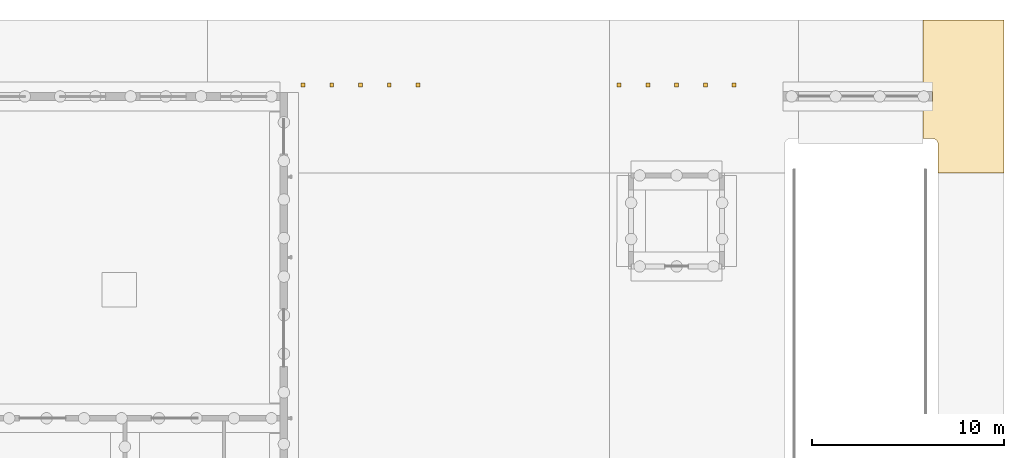
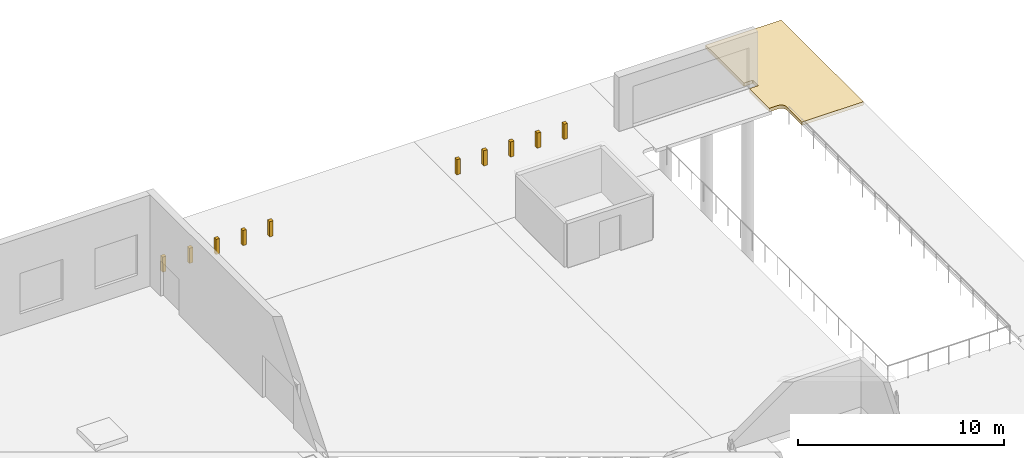
# One storey, part 126 of 127: 11 coverings.
"""IFC4 building model written with IfcOpenShell, lengths in metres."""

from ifc_helpers import new_model, si_unit, direction, frame, origin, place, context, subcontext, project, spatial, polyline, outline, extrude, material, layer, layer_set, type_object, element, save


model = new_model("IFC4")

# Units and contexts
model_context = context("Model", 3, precision=1e-05, world=origin(), true_north=direction((0.0, 1.0)))
body_context = subcontext(model_context, "Body", "Model", "MODEL_VIEW")
ifc_project = project(units=[si_unit("LENGTHUNIT", "METRE"), si_unit("AREAUNIT", "SQUARE_METRE"), si_unit("VOLUMEUNIT", "CUBIC_METRE"), si_unit("PLANEANGLEUNIT", "RADIAN"), si_unit("MASSUNIT", "GRAM", prefix="KILO")], contexts=[model_context])

# Site, building, storey
site_placement = place(None, origin())
site = spatial("IfcSite", under=ifc_project, at=site_placement, CompositionType="ELEMENT")
building_placement = place(site_placement, origin())
building = spatial("IfcBuilding", under=site, at=building_placement, Name="Ljudholm Concert House", CompositionType="ELEMENT")
storey_placement = place(building_placement, origin())
storey = spatial("IfcBuildingStorey", under=building, at=storey_placement, Name="L00", CompositionType="ELEMENT", Elevation=0.0)

# Coverings
ifc_material_1 = material(Name="Stainless steel bollard", Category="steel")
covering_type_1 = type_object("IfcCoveringType", Name="BOLLARD 200x900", PredefinedType="USERDEFINED", material=ifc_material_1)
covering_1_placement = place(storey_placement, origin())
element("IfcCovering", 1, at=covering_1_placement, inside=storey, type_object=covering_type_1, Name="Bollard", ObjectType="BOLLARD", PredefinedType="USERDEFINED", context=body_context, shape_type="SweptSolid", body=[
    extrude(outline(polyline([(88.89990234375, 172.5), (89.10009765625, 172.5), (89.10009765625, 172.699951171875), (88.89990234375, 172.699951171875), (88.89990234375, 172.5)])), origin(), (0.0, 0.0, 1.0), 0.89990234375),
])
covering_2_placement = place(storey_placement, origin())
element("IfcCovering", 2, at=covering_2_placement, inside=storey, type_object=covering_type_1, Name="Bollard", ObjectType="BOLLARD", PredefinedType="USERDEFINED", context=body_context, shape_type="SweptSolid", body=[
    extrude(outline(polyline([(90.39990234375, 172.5), (90.60009765625, 172.5), (90.60009765625, 172.699951171875), (90.39990234375, 172.699951171875), (90.39990234375, 172.5)])), origin(), (0.0, 0.0, 1.0), 0.89990234375),
])
covering_3_placement = place(storey_placement, origin())
element("IfcCovering", 3, at=covering_3_placement, inside=storey, type_object=covering_type_1, Name="Bollard", ObjectType="BOLLARD", PredefinedType="USERDEFINED", context=body_context, shape_type="SweptSolid", body=[
    extrude(outline(polyline([(91.89990234375, 172.5), (92.10009765625, 172.5), (92.10009765625, 172.699951171875), (91.89990234375, 172.699951171875), (91.89990234375, 172.5)])), origin(), (0.0, 0.0, 1.0), 0.89990234375),
])
covering_4_placement = place(storey_placement, origin())
element("IfcCovering", 4, at=covering_4_placement, inside=storey, type_object=covering_type_1, Name="Bollard", ObjectType="BOLLARD", PredefinedType="USERDEFINED", context=body_context, shape_type="SweptSolid", body=[
    extrude(outline(polyline([(93.39990234375, 172.5), (93.60009765625, 172.5), (93.60009765625, 172.699951171875), (93.39990234375, 172.699951171875), (93.39990234375, 172.5)])), origin(), (0.0, 0.0, 1.0), 0.89990234375),
])
covering_5_placement = place(storey_placement, origin())
element("IfcCovering", 5, at=covering_5_placement, inside=storey, type_object=covering_type_1, Name="Bollard", ObjectType="BOLLARD", PredefinedType="USERDEFINED", context=body_context, shape_type="SweptSolid", body=[
    extrude(outline(polyline([(94.89990234375, 172.5), (95.10009765625, 172.5), (95.10009765625, 172.699951171875), (94.89990234375, 172.699951171875), (94.89990234375, 172.5)])), origin(), (0.0, 0.0, 1.0), 0.89990234375),
])
covering_6_placement = place(storey_placement, origin())
element("IfcCovering", 6, at=covering_6_placement, inside=storey, type_object=covering_type_1, Name="Bollard", ObjectType="BOLLARD", PredefinedType="USERDEFINED", context=body_context, shape_type="SweptSolid", body=[
    extrude(outline(polyline([(105.39990234375, 172.5), (105.60009765625, 172.5), (105.60009765625, 172.699951171875), (105.39990234375, 172.699951171875), (105.39990234375, 172.5)])), origin(), (0.0, 0.0, 1.0), 0.89990234375),
])
covering_7_placement = place(storey_placement, origin())
element("IfcCovering", 7, at=covering_7_placement, inside=storey, type_object=covering_type_1, Name="Bollard", ObjectType="BOLLARD", PredefinedType="USERDEFINED", context=body_context, shape_type="SweptSolid", body=[
    extrude(outline(polyline([(106.89990234375, 172.5), (107.10009765625, 172.5), (107.10009765625, 172.699951171875), (106.89990234375, 172.699951171875), (106.89990234375, 172.5)])), origin(), (0.0, 0.0, 1.0), 0.89990234375),
])
covering_8_placement = place(storey_placement, origin())
element("IfcCovering", 8, at=covering_8_placement, inside=storey, type_object=covering_type_1, Name="Bollard", ObjectType="BOLLARD", PredefinedType="USERDEFINED", context=body_context, shape_type="SweptSolid", body=[
    extrude(outline(polyline([(108.39990234375, 172.5), (108.60009765625, 172.5), (108.60009765625, 172.699951171875), (108.39990234375, 172.699951171875), (108.39990234375, 172.5)])), origin(), (0.0, 0.0, 1.0), 0.89990234375),
])
covering_9_placement = place(storey_placement, origin())
element("IfcCovering", 9, at=covering_9_placement, inside=storey, type_object=covering_type_1, Name="Bollard", ObjectType="BOLLARD", PredefinedType="USERDEFINED", context=body_context, shape_type="SweptSolid", body=[
    extrude(outline(polyline([(109.89990234375, 172.5), (110.10009765625, 172.5), (110.10009765625, 172.699951171875), (109.89990234375, 172.699951171875), (109.89990234375, 172.5)])), origin(), (0.0, 0.0, 1.0), 0.89990234375),
])
covering_10_placement = place(storey_placement, origin())
element("IfcCovering", 10, at=covering_10_placement, inside=storey, type_object=covering_type_1, Name="Bollard", ObjectType="BOLLARD", PredefinedType="USERDEFINED", context=body_context, shape_type="SweptSolid", body=[
    extrude(outline(polyline([(111.39990234375, 172.5), (111.60009765625, 172.5), (111.60009765625, 172.699951171875), (111.39990234375, 172.699951171875), (111.39990234375, 172.5)])), origin(), (0.0, 0.0, 1.0), 0.89990234375),
])
ifc_material_2 = material(Name="Precast concrete pavers on compacted sand bed", Category="concrete")
ifc_layer = layer(ifc_material_2, 0.199951171875)
ifc_layer_set = layer_set([ifc_layer], Name="Precast concrete pavers on compacted sand bed")
covering_type_2 = type_object("IfcCoveringType", Name="PRECAST CONCRETE PAVERS ON COMPACTED SAND BED PAVING 200", PredefinedType="USERDEFINED", material=ifc_layer_set)
covering_11_placement = place(storey_placement, frame((0.0, 0.0, -0.199951171875)))
element("IfcCovering", 11, at=covering_11_placement, inside=storey, type_object=covering_type_2, Name="Paving", ObjectType="PAVING", PredefinedType="USERDEFINED", context=body_context, shape_type="SweptSolid", body=[
    extrude(outline(polyline([(125.590087890625, 168.0), (122.14990234375, 168.0), (122.14990234375, 169.5), (122.1484375, 169.529296875), (122.144287109375, 169.55859375), (122.136962890625, 169.587158203125), (122.127197265625, 169.61474609375), (122.114501953125, 169.641357421875), (122.099365234375, 169.666748046875), (122.081787109375, 169.6904296875), (122.06201171875, 169.712158203125), (122.040283203125, 169.73193359375), (122.0166015625, 169.74951171875), (121.991455078125, 169.7646484375), (121.96484375, 169.777099609375), (121.93701171875, 169.787109375), (121.908447265625, 169.794189453125), (121.87939453125, 169.798583984375), (121.85009765625, 169.800048828125), (121.35009765625, 169.800048828125), (121.35009765625, 171.72998046875), (121.830078125, 171.72998046875), (121.837646484375, 171.7314453125), (121.84423828125, 171.73583984375), (121.848388671875, 171.742431640625), (121.85009765625, 171.75), (121.85009765625, 172.25), (121.848388671875, 172.257568359375), (121.84423828125, 172.26416015625), (121.837646484375, 172.2685546875), (121.830078125, 172.27001953125), (121.35009765625, 172.27001953125), (121.35009765625, 175.989990234375), (125.590087890625, 175.989990234375), (125.590087890625, 168.0)])), origin(), (0.0, 0.0, 1.0), 0.199951171875),
])

save(model, "model.ifc")
